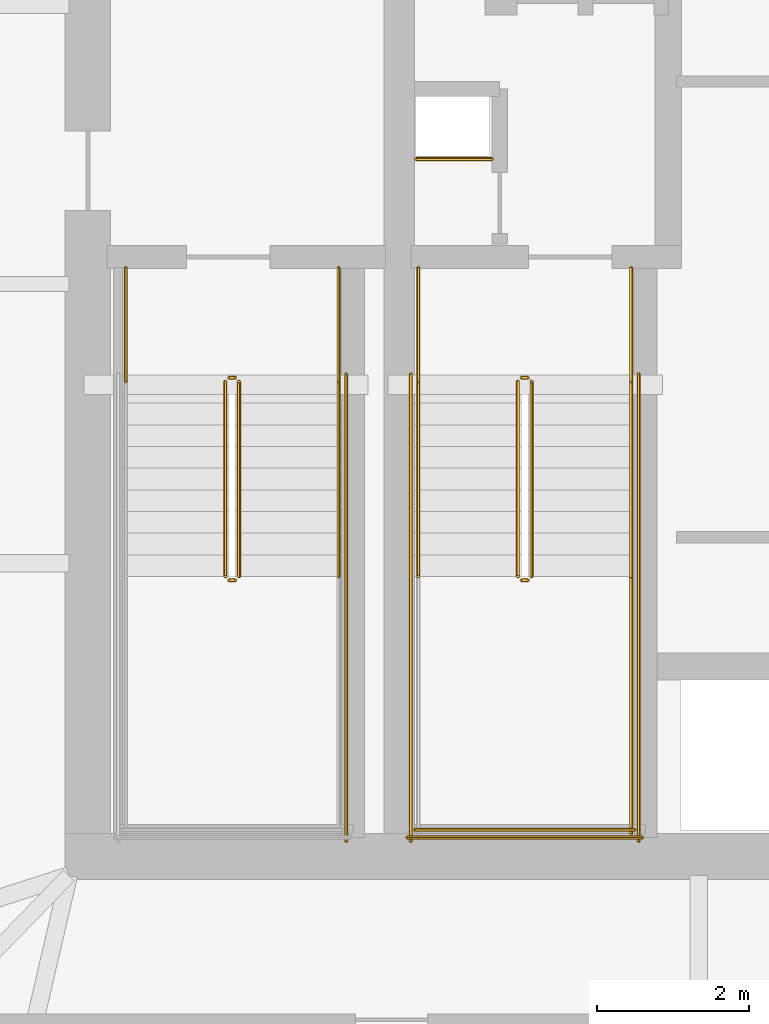
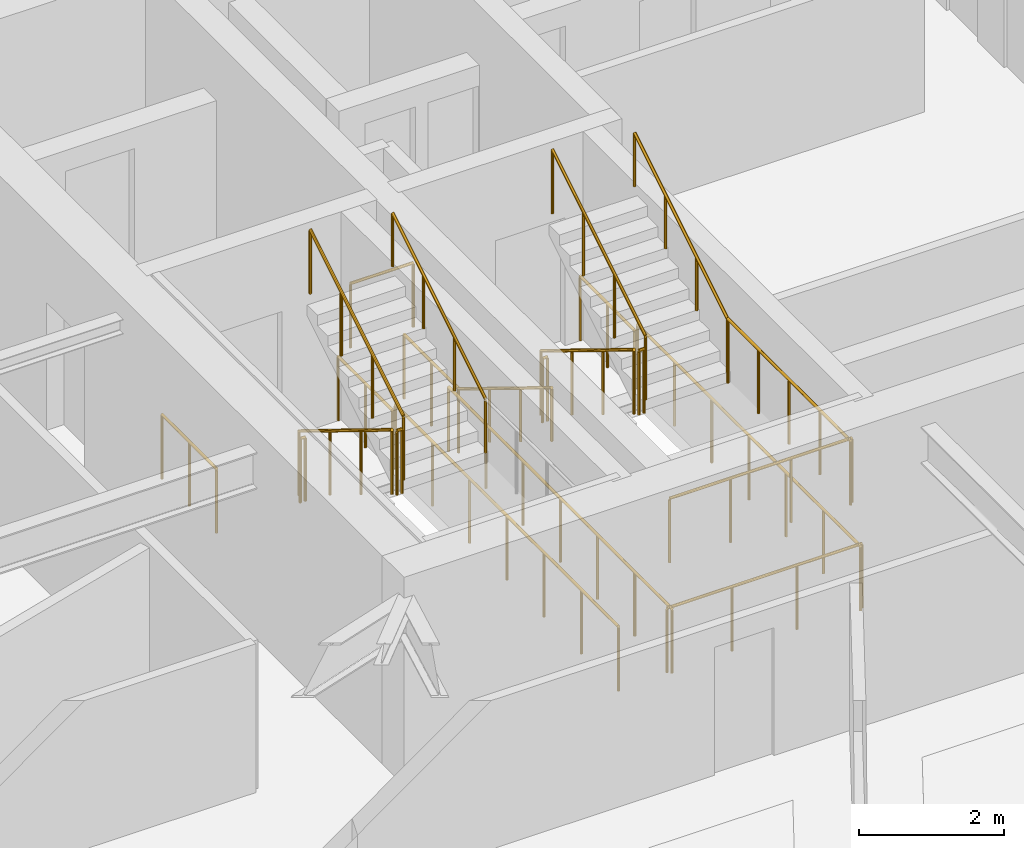
# One storey, part 22 of 25: 22 railings.
"""IFC4 building model written with IfcOpenShell, lengths in metres."""

from ifc_helpers import new_model, si_unit, direction, frame, origin, origin_2d, place, context, subcontext, project, spatial, circle, extrude, material, type_object, element, save


model = new_model("IFC4")

# Units and contexts
model_context = context("Model", 3, precision=1e-05, world=origin(), true_north=direction((0.0, 1.0)))
body_context = subcontext(model_context, "Body", "Model", "MODEL_VIEW")
ifc_project = project(units=[si_unit("LENGTHUNIT", "METRE"), si_unit("AREAUNIT", "SQUARE_METRE"), si_unit("VOLUMEUNIT", "CUBIC_METRE"), si_unit("PLANEANGLEUNIT", "RADIAN"), si_unit("MASSUNIT", "GRAM", prefix="KILO")], contexts=[model_context])

# Site, building, storey
site_placement = place(None, origin())
site = spatial("IfcSite", under=ifc_project, at=site_placement, CompositionType="ELEMENT")
building_placement = place(site_placement, origin())
building = spatial("IfcBuilding", under=site, at=building_placement, Name="Bramvorn Convention Spire", CompositionType="ELEMENT")
storey_placement = place(building_placement, frame((0.0, 0.0, 93.89990234375)))
storey = spatial("IfcBuildingStorey", under=building, at=storey_placement, Name="L22", CompositionType="ELEMENT", Elevation=93.89990234375)

# Railings
ifc_material_1 = material(Name="Painted Steel Balustrade & Guardrail", Category="steel")
railing_type_1 = type_object("IfcRailingType", Name="RL-STAIR-GUARD-1100", PredefinedType="GUARDRAIL", material=ifc_material_1)
railing_1_placement = place(storey_placement, frame((28.81005859375, 25.050048828125, 0.175048828125)))
element("IfcRailing", 1, at=railing_1_placement, inside=storey, type_object=railing_type_1, Name="L22 ST1 stair guard 1", PredefinedType="GUARDRAIL", context=body_context, shape_type="SweptSolid", body=[
    extrude(circle(Radius=0.02392578125, at=origin_2d()), frame((0.0, 0.0, 1.076171875), z_axis=(0.0, -0.852173129349, 0.523259933127), x_axis=(1.0, 0.0, 0.0)), (0.0, 0.0, 1.0), 3.009765625),
    extrude(circle(Radius=0.02099609375, at=origin_2d()), origin(), (0.0, 0.0, 1.0), 1.052001953125),
    extrude(circle(Radius=0.02099609375, at=origin_2d()), frame((0.0, -0.85498046875, 0.52490234375)), (0.0, 0.0, 1.0), 1.052001953125),
    extrude(circle(Radius=0.02099609375, at=origin_2d()), frame((0.0, -1.7099609375, 1.050048828125)), (0.0, 0.0, 1.0), 1.052001953125),
    extrude(circle(Radius=0.02099609375, at=origin_2d()), frame((0.0, -2.56494140625, 1.574951171875)), (0.0, 0.0, 1.0), 1.052001953125),
])
railing_2_placement = place(storey_placement, frame((28.860107421875, 22.43505859375, 1.75)))
element("IfcRailing", 2, at=railing_2_placement, inside=storey, type_object=railing_type_1, Name="L22 ST1 stair guard 2", PredefinedType="GUARDRAIL", context=body_context, shape_type="SweptSolid", body=[
    extrude(circle(Radius=0.02392578125, at=origin_2d()), frame((0.0, 0.0, 1.076171875), z_axis=(1.0, 0.0, 0.0), x_axis=(0.0, 1.0, 0.0)), (0.0, 0.0, 1.0), 0.079833984375),
    extrude(circle(Radius=0.02099609375, at=origin_2d()), origin(), (0.0, 0.0, 1.0), 1.052001953125),
    extrude(circle(Radius=0.02099609375, at=origin_2d()), frame((0.079833984375, 0.0, 0.0)), (0.0, 0.0, 1.0), 1.052001953125),
])
railing_3_placement = place(storey_placement, frame((28.989990234375, 22.485107421875, 1.925048828125)))
element("IfcRailing", 3, at=railing_3_placement, inside=storey, type_object=railing_type_1, Name="L22 ST1 stair guard 6", PredefinedType="GUARDRAIL", context=body_context, shape_type="SweptSolid", body=[
    extrude(circle(Radius=0.02392578125, at=origin_2d()), frame((0.0, 0.0, 1.076171875), z_axis=(0.0, 0.852173129349, 0.523259933127), x_axis=(-1.0, 0.0, 0.0)), (0.0, 0.0, 1.0), 3.009765625),
    extrude(circle(Radius=0.02099609375, at=origin_2d()), origin(), (0.0, 0.0, 1.0), 1.052001953125),
    extrude(circle(Radius=0.02099609375, at=origin_2d()), frame((0.0, 0.85498046875, 0.52490234375)), (0.0, 0.0, 1.0), 1.052001953125),
    extrude(circle(Radius=0.02099609375, at=origin_2d()), frame((0.0, 1.7099609375, 1.050048828125)), (0.0, 0.0, 1.0), 1.052001953125),
    extrude(circle(Radius=0.02099609375, at=origin_2d()), frame((0.0, 2.56494140625, 1.574951171875)), (0.0, 0.0, 1.0), 1.052001953125),
])
railing_4_placement = place(storey_placement, frame((28.860107421875, 25.10009765625, 0.0)))
element("IfcRailing", 4, at=railing_4_placement, inside=storey, type_object=railing_type_1, Name="L22 ST1 stair guard 7", PredefinedType="GUARDRAIL", context=body_context, shape_type="SweptSolid", body=[
    extrude(circle(Radius=0.02392578125, at=origin_2d()), frame((0.0, 0.0, 1.076171875), z_axis=(1.0, 0.0, 0.0), x_axis=(0.0, 1.0, 0.0)), (0.0, 0.0, 1.0), 0.079833984375),
    extrude(circle(Radius=0.02099609375, at=origin_2d()), origin(), (0.0, 0.0, 1.0), 1.052001953125),
    extrude(circle(Radius=0.02099609375, at=origin_2d()), frame((0.079833984375, 0.0, 0.0)), (0.0, 0.0, 1.0), 1.052001953125),
])
for number, where, name in (
    (5, (27.5, 26.550048828125, 0.0), "L22 ST1 stair guard 8"),
    (6, (30.300048828125, 26.550048828125, 0.0), "L22 ST1 stair guard 9"),
):
    element("IfcRailing", number, at=place(storey_placement, frame(where)), inside=storey, type_object=railing_type_1, Name=name, PredefinedType="GUARDRAIL", context=body_context, shape_type="SweptSolid", body=[
        extrude(circle(Radius=0.02392578125, at=origin_2d()), frame((0.0, 0.0, 1.076171875), z_axis=(0.0, -1.0, 0.0), x_axis=(1.0, 0.0, 0.0)), (0.0, 0.0, 1.0), 1.5),
        extrude(circle(Radius=0.02099609375, at=origin_2d()), origin(), (0.0, 0.0, 1.0), 1.052001953125),
        extrude(circle(Radius=0.02099609375, at=origin_2d()), frame((0.0, -0.75, 0.0)), (0.0, 0.0, 1.0), 1.052001953125),
        extrude(circle(Radius=0.02099609375, at=origin_2d()), frame((0.0, -1.5, 0.0)), (0.0, 0.0, 1.0), 1.052001953125),
    ])
railing_5_placement = place(storey_placement, frame((30.39990234375, 25.14990234375, 0.0)))
element("IfcRailing", 7, at=railing_5_placement, inside=storey, type_object=railing_type_1, Name="L22 ST1 stair guard 11", PredefinedType="GUARDRAIL", context=body_context, shape_type="SweptSolid", body=[
    extrude(circle(Radius=0.02392578125, at=origin_2d()), frame((0.0, 0.0, 1.076171875), z_axis=(0.0, -1.0, 0.0), x_axis=(1.0, 0.0, 0.0)), (0.0, 0.0, 1.0), 6.14990234375),
    extrude(circle(Radius=0.02099609375, at=origin_2d()), origin(), (0.0, 0.0, 1.0), 1.052001953125),
    extrude(circle(Radius=0.02099609375, at=origin_2d()), frame((0.0, -1.02490234375, 0.0)), (0.0, 0.0, 1.0), 1.052001953125),
    extrude(circle(Radius=0.02099609375, at=origin_2d()), frame((0.0, -2.050048828125, 0.0)), (0.0, 0.0, 1.0), 1.052001953125),
    extrude(circle(Radius=0.02099609375, at=origin_2d()), frame((0.0, -3.074951171875, 0.0)), (0.0, 0.0, 1.0), 1.052001953125),
    extrude(circle(Radius=0.02099609375, at=origin_2d()), frame((0.0, -4.099853515625, 0.0)), (0.0, 0.0, 1.0), 1.052001953125),
    extrude(circle(Radius=0.02099609375, at=origin_2d()), frame((0.0, -5.125, 0.0)), (0.0, 0.0, 1.0), 1.052001953125),
    extrude(circle(Radius=0.02099609375, at=origin_2d()), frame((0.0, -6.14990234375, 0.0)), (0.0, 0.0, 1.0), 1.052001953125),
])
railing_6_placement = place(storey_placement, frame((32.659912109375, 25.050048828125, 0.175048828125)))
element("IfcRailing", 8, at=railing_6_placement, inside=storey, type_object=railing_type_1, Name="L22 ST3 stair guard 1", PredefinedType="GUARDRAIL", context=body_context, shape_type="SweptSolid", body=[
    extrude(circle(Radius=0.02392578125, at=origin_2d()), frame((0.0, 0.0, 1.076171875), z_axis=(0.0, -0.852173129349, 0.523259933127), x_axis=(1.0, 0.0, 0.0)), (0.0, 0.0, 1.0), 3.009765625),
    extrude(circle(Radius=0.02099609375, at=origin_2d()), origin(), (0.0, 0.0, 1.0), 1.052001953125),
    extrude(circle(Radius=0.02099609375, at=origin_2d()), frame((0.0, -0.85498046875, 0.52490234375)), (0.0, 0.0, 1.0), 1.052001953125),
    extrude(circle(Radius=0.02099609375, at=origin_2d()), frame((0.0, -1.7099609375, 1.050048828125)), (0.0, 0.0, 1.0), 1.052001953125),
    extrude(circle(Radius=0.02099609375, at=origin_2d()), frame((0.0, -2.56494140625, 1.574951171875)), (0.0, 0.0, 1.0), 1.052001953125),
])
railing_7_placement = place(storey_placement, frame((32.7099609375, 22.43505859375, 1.75)))
element("IfcRailing", 9, at=railing_7_placement, inside=storey, type_object=railing_type_1, Name="L22 ST3 stair guard 2", PredefinedType="GUARDRAIL", context=body_context, shape_type="SweptSolid", body=[
    extrude(circle(Radius=0.02392578125, at=origin_2d()), frame((0.0, 0.0, 1.076171875), z_axis=(1.0, 0.0, 0.0), x_axis=(0.0, 1.0, 0.0)), (0.0, 0.0, 1.0), 0.080078125),
    extrude(circle(Radius=0.02099609375, at=origin_2d()), origin(), (0.0, 0.0, 1.0), 1.052001953125),
    extrude(circle(Radius=0.02099609375, at=origin_2d()), frame((0.080078125, 0.0, 0.0)), (0.0, 0.0, 1.0), 1.052001953125),
])
railing_8_placement = place(storey_placement, frame((34.14990234375, 22.485107421875, 1.75)))
element("IfcRailing", 10, at=railing_8_placement, inside=storey, type_object=railing_type_1, Name="L22 ST3 stair guard 4", PredefinedType="GUARDRAIL", context=body_context, shape_type="SweptSolid", body=[
    extrude(circle(Radius=0.02392578125, at=origin_2d()), frame((0.0, 0.0, 1.076171875), z_axis=(0.0, -1.0, 0.0), x_axis=(1.0, 0.0, 0.0)), (0.0, 0.0, 1.0), 3.385009765625),
    extrude(circle(Radius=0.02099609375, at=origin_2d()), origin(), (0.0, 0.0, 1.0), 1.052001953125),
    extrude(circle(Radius=0.02099609375, at=origin_2d()), frame((0.0, -0.84619140625, 0.0)), (0.0, 0.0, 1.0), 1.052001953125),
    extrude(circle(Radius=0.02099609375, at=origin_2d()), frame((0.0, -1.6923828125, 0.0)), (0.0, 0.0, 1.0), 1.052001953125),
    extrude(circle(Radius=0.02099609375, at=origin_2d()), frame((0.0, -2.538818359375, 0.0)), (0.0, 0.0, 1.0), 1.052001953125),
    extrude(circle(Radius=0.02099609375, at=origin_2d()), frame((0.0, -3.385009765625, 0.0)), (0.0, 0.0, 1.0), 1.052001953125),
])
railing_9_placement = place(storey_placement, frame((31.300048828125, 19.14990234375, 1.75)))
element("IfcRailing", 11, at=railing_9_placement, inside=storey, type_object=railing_type_1, Name="L22 ST3 stair guard 5", PredefinedType="GUARDRAIL", context=body_context, shape_type="SweptSolid", body=[
    extrude(circle(Radius=0.02392578125, at=origin_2d()), frame((0.0, 0.0, 1.076171875), z_axis=(1.0, 0.0, 0.0), x_axis=(0.0, 1.0, 0.0)), (0.0, 0.0, 1.0), 2.89990234375),
    extrude(circle(Radius=0.02099609375, at=origin_2d()), origin(), (0.0, 0.0, 1.0), 1.052001953125),
    extrude(circle(Radius=0.02099609375, at=origin_2d()), frame((0.966552734375, 0.0, 0.0)), (0.0, 0.0, 1.0), 1.052001953125),
    extrude(circle(Radius=0.02099609375, at=origin_2d()), frame((1.933349609375, 0.0, 0.0)), (0.0, 0.0, 1.0), 1.052001953125),
    extrude(circle(Radius=0.02099609375, at=origin_2d()), frame((2.89990234375, 0.0, 0.0)), (0.0, 0.0, 1.0), 1.052001953125),
])
railing_10_placement = place(storey_placement, frame((32.840087890625, 22.485107421875, 1.925048828125)))
element("IfcRailing", 12, at=railing_10_placement, inside=storey, type_object=railing_type_1, Name="L22 ST3 stair guard 6", PredefinedType="GUARDRAIL", context=body_context, shape_type="SweptSolid", body=[
    extrude(circle(Radius=0.02392578125, at=origin_2d()), frame((0.0, 0.0, 1.076171875), z_axis=(0.0, 0.852173129349, 0.523259933127), x_axis=(-1.0, 0.0, 0.0)), (0.0, 0.0, 1.0), 3.009765625),
    extrude(circle(Radius=0.02099609375, at=origin_2d()), origin(), (0.0, 0.0, 1.0), 1.052001953125),
    extrude(circle(Radius=0.02099609375, at=origin_2d()), frame((0.0, 0.85498046875, 0.52490234375)), (0.0, 0.0, 1.0), 1.052001953125),
    extrude(circle(Radius=0.02099609375, at=origin_2d()), frame((0.0, 1.7099609375, 1.050048828125)), (0.0, 0.0, 1.0), 1.052001953125),
    extrude(circle(Radius=0.02099609375, at=origin_2d()), frame((0.0, 2.56494140625, 1.574951171875)), (0.0, 0.0, 1.0), 1.052001953125),
])
railing_11_placement = place(storey_placement, frame((32.7099609375, 25.10009765625, 0.0)))
element("IfcRailing", 13, at=railing_11_placement, inside=storey, type_object=railing_type_1, Name="L22 ST3 stair guard 7", PredefinedType="GUARDRAIL", context=body_context, shape_type="SweptSolid", body=[
    extrude(circle(Radius=0.02392578125, at=origin_2d()), frame((0.0, 0.0, 1.076171875), z_axis=(1.0, 0.0, 0.0), x_axis=(0.0, 1.0, 0.0)), (0.0, 0.0, 1.0), 0.080078125),
    extrude(circle(Radius=0.02099609375, at=origin_2d()), origin(), (0.0, 0.0, 1.0), 1.052001953125),
    extrude(circle(Radius=0.02099609375, at=origin_2d()), frame((0.080078125, 0.0, 0.0)), (0.0, 0.0, 1.0), 1.052001953125),
])
for number, where, name in (
    (14, (31.35009765625, 26.550048828125, 0.0), "L22 ST3 stair guard 8"),
    (15, (34.14990234375, 26.550048828125, 0.0), "L22 ST3 stair guard 9"),
):
    element("IfcRailing", number, at=place(storey_placement, frame(where)), inside=storey, type_object=railing_type_1, Name=name, PredefinedType="GUARDRAIL", context=body_context, shape_type="SweptSolid", body=[
        extrude(circle(Radius=0.02392578125, at=origin_2d()), frame((0.0, 0.0, 1.076171875), z_axis=(0.0, -1.0, 0.0), x_axis=(1.0, 0.0, 0.0)), (0.0, 0.0, 1.0), 1.5),
        extrude(circle(Radius=0.02099609375, at=origin_2d()), origin(), (0.0, 0.0, 1.0), 1.052001953125),
        extrude(circle(Radius=0.02099609375, at=origin_2d()), frame((0.0, -0.75, 0.0)), (0.0, 0.0, 1.0), 1.052001953125),
        extrude(circle(Radius=0.02099609375, at=origin_2d()), frame((0.0, -1.5, 0.0)), (0.0, 0.0, 1.0), 1.052001953125),
    ])
for number, where, name in (
    (16, (31.25, 25.14990234375, 0.0), "L22 ST3 stair guard 10"),
    (17, (34.25, 25.14990234375, 0.0), "L22 ST3 stair guard 11"),
):
    element("IfcRailing", number, at=place(storey_placement, frame(where)), inside=storey, type_object=railing_type_1, Name=name, PredefinedType="GUARDRAIL", context=body_context, shape_type="SweptSolid", body=[
        extrude(circle(Radius=0.02392578125, at=origin_2d()), frame((0.0, 0.0, 1.076171875), z_axis=(0.0, -1.0, 0.0), x_axis=(1.0, 0.0, 0.0)), (0.0, 0.0, 1.0), 6.14990234375),
        extrude(circle(Radius=0.02099609375, at=origin_2d()), origin(), (0.0, 0.0, 1.0), 1.052001953125),
        extrude(circle(Radius=0.02099609375, at=origin_2d()), frame((0.0, -1.02490234375, 0.0)), (0.0, 0.0, 1.0), 1.052001953125),
        extrude(circle(Radius=0.02099609375, at=origin_2d()), frame((0.0, -2.050048828125, 0.0)), (0.0, 0.0, 1.0), 1.052001953125),
        extrude(circle(Radius=0.02099609375, at=origin_2d()), frame((0.0, -3.074951171875, 0.0)), (0.0, 0.0, 1.0), 1.052001953125),
        extrude(circle(Radius=0.02099609375, at=origin_2d()), frame((0.0, -4.099853515625, 0.0)), (0.0, 0.0, 1.0), 1.052001953125),
        extrude(circle(Radius=0.02099609375, at=origin_2d()), frame((0.0, -5.125, 0.0)), (0.0, 0.0, 1.0), 1.052001953125),
        extrude(circle(Radius=0.02099609375, at=origin_2d()), frame((0.0, -6.14990234375, 0.0)), (0.0, 0.0, 1.0), 1.052001953125),
    ])
railing_12_placement = place(storey_placement, frame((31.199951171875, 19.050048828125, 0.0)))
element("IfcRailing", 18, at=railing_12_placement, inside=storey, type_object=railing_type_1, Name="L22 ST3 stair guard 12", PredefinedType="GUARDRAIL", context=body_context, shape_type="SweptSolid", body=[
    extrude(circle(Radius=0.02392578125, at=origin_2d()), frame((0.0, 0.0, 1.076171875), z_axis=(1.0, 0.0, 0.0), x_axis=(0.0, 1.0, 0.0)), (0.0, 0.0, 1.0), 3.10009765625),
    extrude(circle(Radius=0.02099609375, at=origin_2d()), origin(), (0.0, 0.0, 1.0), 1.052001953125),
    extrude(circle(Radius=0.02099609375, at=origin_2d()), frame((1.033447265625, 0.0, 0.0)), (0.0, 0.0, 1.0), 1.052001953125),
    extrude(circle(Radius=0.02099609375, at=origin_2d()), frame((2.066650390625, 0.0, 0.0)), (0.0, 0.0, 1.0), 1.052001953125),
    extrude(circle(Radius=0.02099609375, at=origin_2d()), frame((3.10009765625, 0.0, 0.0)), (0.0, 0.0, 1.0), 1.052001953125),
])
railing_13_placement = place(storey_placement, frame((31.320068359375, 27.97998046875, 0.0)))
element("IfcRailing", 19, at=railing_13_placement, inside=storey, type_object=railing_type_1, Name="L22 Telecom riser shaft opening safety guardrail", PredefinedType="GUARDRAIL", context=body_context, shape_type="SweptSolid", body=[
    extrude(circle(Radius=0.02392578125, at=origin_2d()), frame((0.0, 0.0, 1.076171875), z_axis=(1.0, 0.0, 0.0), x_axis=(0.0, 1.0, 0.0)), (0.0, 0.0, 1.0), 1.0),
    extrude(circle(Radius=0.02099609375, at=origin_2d()), origin(), (0.0, 0.0, 1.0), 1.052001953125),
    extrude(circle(Radius=0.02099609375, at=origin_2d()), frame((1.0, 0.0, 0.0)), (0.0, 0.0, 1.0), 1.052001953125),
])
ifc_material_2 = material(Name="Brushed Bronze Tubular Handrail", Category="aluminium")
railing_type_2 = type_object("IfcRailingType", Name="RL-STAIR-HR-920", PredefinedType="HANDRAIL", material=ifc_material_2)
railing_14_placement = place(storey_placement, frame((30.300048828125, 22.485107421875, 1.925048828125)))
element("IfcRailing", 20, at=railing_14_placement, inside=storey, type_object=railing_type_2, Name="L22 ST1 stair handrail 2", PredefinedType="HANDRAIL", context=body_context, shape_type="SweptSolid", body=[
    extrude(circle(Radius=0.02392578125, at=origin_2d()), frame((0.0, 0.0, 0.89599609375), z_axis=(0.0, 0.852173129349, 0.523259933127), x_axis=(-1.0, 0.0, 0.0)), (0.0, 0.0, 1.0), 3.009765625),
    extrude(circle(Radius=0.02099609375, at=origin_2d()), origin(), (0.0, 0.0, 1.0), 0.871826171875),
    extrude(circle(Radius=0.02099609375, at=origin_2d()), frame((0.0, 0.85498046875, 0.52490234375)), (0.0, 0.0, 1.0), 0.871826171875),
    extrude(circle(Radius=0.02099609375, at=origin_2d()), frame((0.0, 1.7099609375, 1.050048828125)), (0.0, 0.0, 1.0), 0.871826171875),
    extrude(circle(Radius=0.02099609375, at=origin_2d()), frame((0.0, 2.56494140625, 1.574951171875)), (0.0, 0.0, 1.0), 0.871826171875),
])
railing_15_placement = place(storey_placement, frame((31.35009765625, 25.050048828125, 0.175048828125)))
element("IfcRailing", 21, at=railing_15_placement, inside=storey, type_object=railing_type_2, Name="L22 ST3 stair handrail 1", PredefinedType="HANDRAIL", context=body_context, shape_type="SweptSolid", body=[
    extrude(circle(Radius=0.02392578125, at=origin_2d()), frame((0.0, 0.0, 0.89599609375), z_axis=(0.0, -0.852173129349, 0.523259933127), x_axis=(1.0, 0.0, 0.0)), (0.0, 0.0, 1.0), 3.009765625),
    extrude(circle(Radius=0.02099609375, at=origin_2d()), origin(), (0.0, 0.0, 1.0), 0.871826171875),
    extrude(circle(Radius=0.02099609375, at=origin_2d()), frame((0.0, -0.85498046875, 0.52490234375)), (0.0, 0.0, 1.0), 0.871826171875),
    extrude(circle(Radius=0.02099609375, at=origin_2d()), frame((0.0, -1.7099609375, 1.050048828125)), (0.0, 0.0, 1.0), 0.871826171875),
    extrude(circle(Radius=0.02099609375, at=origin_2d()), frame((0.0, -2.56494140625, 1.574951171875)), (0.0, 0.0, 1.0), 0.871826171875),
])
railing_16_placement = place(storey_placement, frame((34.14990234375, 22.485107421875, 1.925048828125)))
element("IfcRailing", 22, at=railing_16_placement, inside=storey, type_object=railing_type_2, Name="L22 ST3 stair handrail 2", PredefinedType="HANDRAIL", context=body_context, shape_type="SweptSolid", body=[
    extrude(circle(Radius=0.02392578125, at=origin_2d()), frame((0.0, 0.0, 0.89599609375), z_axis=(0.0, 0.852173129349, 0.523259933127), x_axis=(-1.0, 0.0, 0.0)), (0.0, 0.0, 1.0), 3.009765625),
    extrude(circle(Radius=0.02099609375, at=origin_2d()), origin(), (0.0, 0.0, 1.0), 0.871826171875),
    extrude(circle(Radius=0.02099609375, at=origin_2d()), frame((0.0, 0.85498046875, 0.52490234375)), (0.0, 0.0, 1.0), 0.871826171875),
    extrude(circle(Radius=0.02099609375, at=origin_2d()), frame((0.0, 1.7099609375, 1.050048828125)), (0.0, 0.0, 1.0), 0.871826171875),
    extrude(circle(Radius=0.02099609375, at=origin_2d()), frame((0.0, 2.56494140625, 1.574951171875)), (0.0, 0.0, 1.0), 0.871826171875),
])

save(model, "model.ifc")
